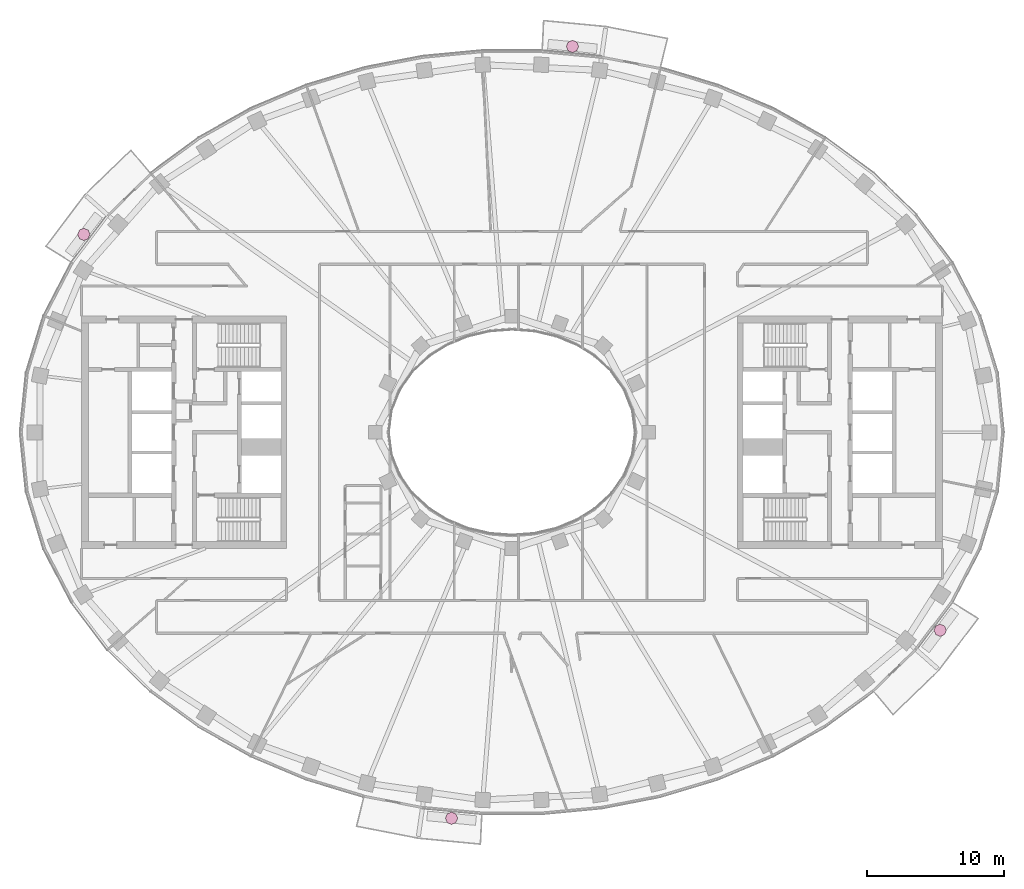
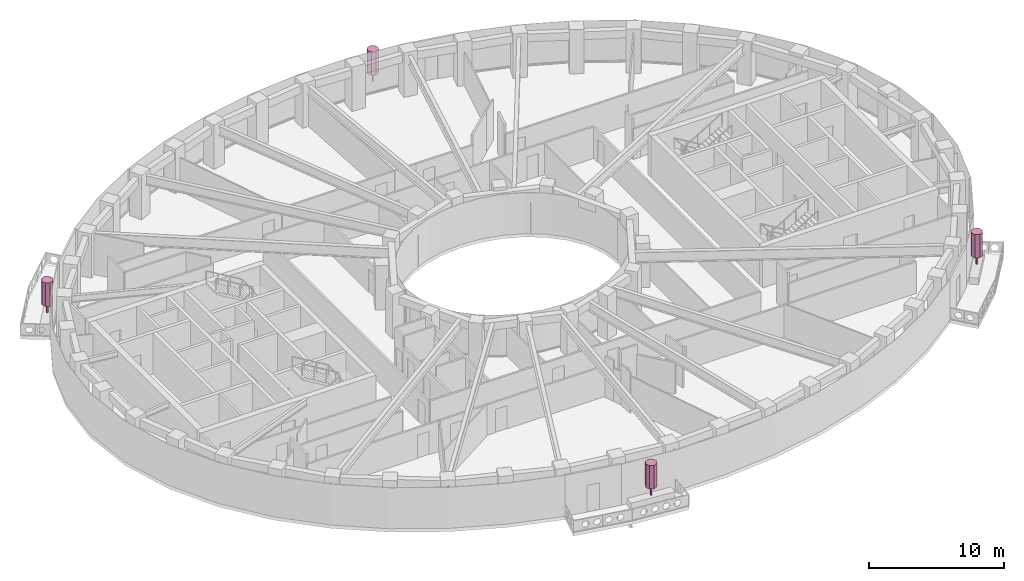
# One storey, part 16 of 16: 4 furnishings.
"""IFC4 building model written with IfcOpenShell, lengths in metres."""

from ifc_helpers import new_model, si_unit, direction, frame, origin, origin_2d, place, context, subcontext, project, spatial, polyline, rectangle, outline, extrude, material, type_object, element, save


model = new_model("IFC4")

# Units and contexts
model_context = context("Model", 3, precision=1e-05, world=origin(), true_north=direction((0.0, 1.0)))
body_context = subcontext(model_context, "Body", "Model", "MODEL_VIEW")
ifc_project = project(units=[si_unit("LENGTHUNIT", "METRE"), si_unit("AREAUNIT", "SQUARE_METRE"), si_unit("VOLUMEUNIT", "CUBIC_METRE"), si_unit("PLANEANGLEUNIT", "RADIAN"), si_unit("MASSUNIT", "GRAM", prefix="KILO")], contexts=[model_context])

# Site, building, storey
site_placement = place(None, origin())
site = spatial("IfcSite", under=ifc_project, at=site_placement, CompositionType="ELEMENT")
building_placement = place(site_placement, origin())
building = spatial("IfcBuilding", under=site, at=building_placement, Name="Noorbagh Ring Tower", CompositionType="ELEMENT")
storey_placement = place(building_placement, frame((0.0, 0.0, 249.5)))
storey = spatial("IfcBuildingStorey", under=building, at=storey_placement, Name="L52", CompositionType="ELEMENT", Elevation=249.5)

# Furnishings
ifc_material = material(Name="Planting foliage green")
furnishing_element_type = type_object("IfcFurnishingElementType", Name="ENV-TREE", material=ifc_material)
for number, where, z_axis, x_axis, name in (
    (1, (4.423828125, 28.2373046875, 0.60009765625), (0.0, 0.0, 1.0), (1.0, 0.0, 0.0), "Tree BN03"),
    (2, (-31.329833984375, 14.4833984375, 0.60009765625), (0.0, 0.0, 1.0), (1.0, 0.0, 0.0), "Tree BN06"),
    (3, (-4.423828125, -28.2373046875, 0.60009765625), (0.0, 0.0, 1.0), (1.0, 0.0, 0.0), "Tree BS03"),
    (4, (31.329833984375, -14.4833984375, 0.60009765625), (0.0, 0.0, 1.0), (1.0, 0.0, 0.0), "Tree BS06"),
):
    element("IfcFurnishingElement", number, at=place(storey_placement, frame(where, z_axis=z_axis, x_axis=x_axis)), inside=storey, type_object=furnishing_element_type, Name=name, context=body_context, shape_type="SweptSolid", body=[
        extrude(rectangle(XDim=0.1201171875, YDim=0.1201171875, at=origin_2d()), origin(), (0.0, 0.0, 1.0), 0.825927734375),
        extrude(outline(polyline([(0.449951171875, 0.0), (0.318115234375, 0.318115234375), (0.0, 0.449951171875), (-0.318115234375, 0.318115234375), (-0.449951171875, 0.0), (-0.318115234375, -0.318115234375), (0.0, -0.449951171875), (0.318115234375, -0.318115234375), (0.449951171875, 0.0)])), frame((0.0, 0.0, 0.825927734375)), (0.0, 0.0, 1.0), 2.1240234375),
    ])

save(model, "model.ifc")
